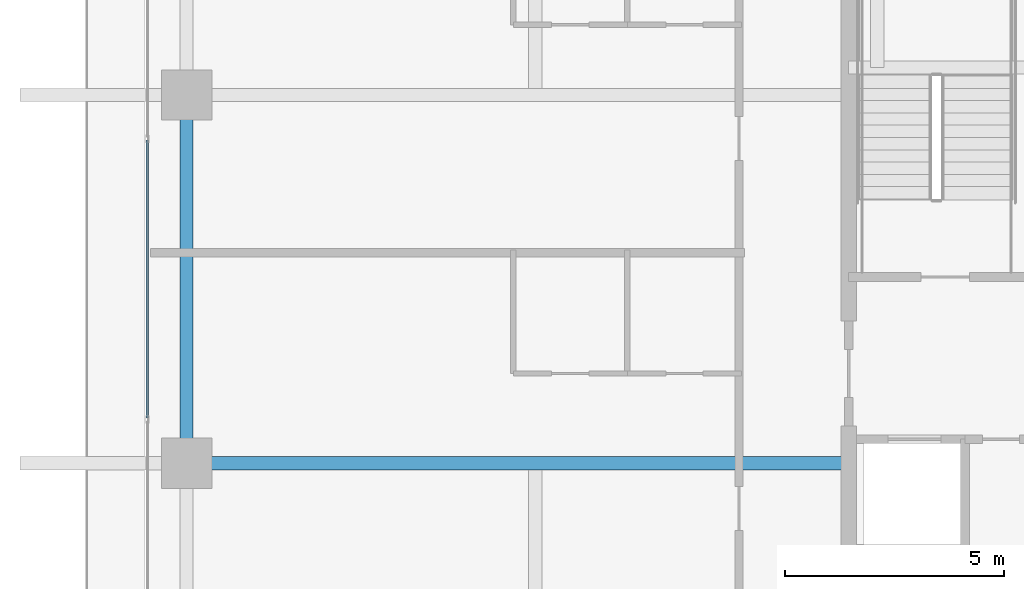
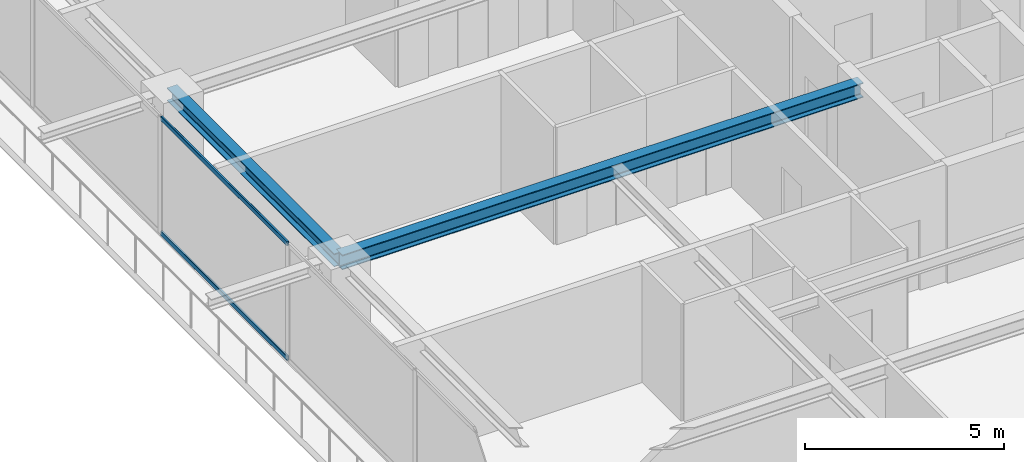
# One storey, part 8 of 37: 2 beams, 2 members, 1 element without a shape of its own.
"""IFC4 building model written with IfcOpenShell, lengths in metres."""

from ifc_helpers import new_model, si_unit, direction, frame, origin, origin_2d, place, context, subcontext, project, spatial, hollow_rectangle, i_section, extrude, source, transform, mapped, material, layer, layer_set, material_profile, profile_set, type_object, element, aggregate, save


model = new_model("IFC4")

# Units and contexts
model_context = context("Model", 3, precision=1e-05, world=origin(), true_north=direction((0.0, 1.0)))
body_context = subcontext(model_context, "Body", "Model", "MODEL_VIEW")
ifc_project = project(units=[si_unit("LENGTHUNIT", "METRE"), si_unit("AREAUNIT", "SQUARE_METRE"), si_unit("VOLUMEUNIT", "CUBIC_METRE"), si_unit("PLANEANGLEUNIT", "RADIAN"), si_unit("MASSUNIT", "GRAM", prefix="KILO")], contexts=[model_context])

# Site, building, storey
site_placement = place(None, origin())
site = spatial("IfcSite", under=ifc_project, at=site_placement, CompositionType="ELEMENT")
building_placement = place(site_placement, origin())
building = spatial("IfcBuilding", under=site, at=building_placement, Name="Serunith Strait Residences", CompositionType="ELEMENT")
storey_placement = place(building_placement, frame((0.0, 0.0, 233.550048828125)))
storey = spatial("IfcBuildingStorey", under=building, at=storey_placement, Name="L58", CompositionType="ELEMENT", Elevation=233.550048828125)

# Beams
ifc_material_1 = material(Name="Steel S355J2", Category="steel")
ifc_material_profile_1 = material_profile(ifc_material_1, i_section(OverallWidth=0.300048828125, OverallDepth=0.449951171875, WebThickness=0.013916015625, FlangeThickness=0.02587890625, FilletRadius=0.027099609375, at=origin_2d()), Name="HEB 450")
ifc_profile_set_1 = profile_set([ifc_material_profile_1], Name="Steel S355J2")
beam_type_1 = type_object("IfcBeamType", Name="BM-HEB450", PredefinedType="BEAM", material=ifc_profile_set_1)
shared_shape_1 = source(origin(), body_context, "Body", "SweptSolid", [
    extrude(i_section(OverallWidth=0.300048828125, OverallDepth=0.449951171875, WebThickness=0.013916015625, FlangeThickness=0.02587890625, FilletRadius=0.027099609375, at=origin_2d()), origin(), (0.0, 0.0, 1.0), 15.099853515625),
])
beam_1_placement = place(storey_placement, frame((23.39990234375, 21.0, 3.362060546875), z_axis=(-1.0, 0.0, 0.0), x_axis=(0.0, -1.0, 0.0)))
element("IfcBeam", 1, at=beam_1_placement, inside=storey, type_object=beam_type_1, Name="L58 Primary Floor Girder TC-W2", PredefinedType="BEAM", context=body_context, shape_type="MappedRepresentation", body=[
    mapped(shared_shape_1, transform((0.0, 0.0, 0.0), scale=1.0)),
])
ifc_material_profile_2 = material_profile(ifc_material_1, i_section(OverallWidth=0.300048828125, OverallDepth=0.39990234375, WebThickness=0.013427734375, FlangeThickness=0.02392578125, FilletRadius=0.027099609375, at=origin_2d()), Name="HEB 400")
ifc_profile_set_2 = profile_set([ifc_material_profile_2], Name="Steel S355J2")
beam_type_2 = type_object("IfcBeamType", Name="BM-HEB400", PredefinedType="BEAM", material=ifc_profile_set_2)
shared_shape_2 = source(origin(), body_context, "Body", "SweptSolid", [
    extrude(i_section(OverallWidth=0.300048828125, OverallDepth=0.39990234375, WebThickness=0.013427734375, FlangeThickness=0.02392578125, FilletRadius=0.027099609375, at=origin_2d()), origin(), (0.0, 0.0, 1.0), 8.39990234375),
])
beam_2_placement = place(storey_placement, frame((8.300048828125, 29.39990234375, 3.386962890625), z_axis=(0.0, -1.0, 0.0), x_axis=(1.0, 0.0, 0.0)))
element("IfcBeam", 2, at=beam_2_placement, inside=storey, type_object=beam_type_2, Name="L58 Perimeter Ring Beam 14", PredefinedType="BEAM", context=body_context, shape_type="MappedRepresentation", body=[
    mapped(shared_shape_2, transform((0.0, 0.0, 0.0), scale=1.0)),
])

# Curtain wall, members
ifc_material_2 = material(Name="Pale-Champagne Anodised Aluminium", Category="aluminium")
ifc_layer = layer(ifc_material_2, 0.199951171875, Name="Pale-Champagne Anodised Aluminium")
ifc_layer_set = layer_set([ifc_layer], Name="Pale-Champagne Anodised Aluminium")
curtain_wall_type = type_object("IfcCurtainWallType", Name="CW-SYS4", PredefinedType="NOTDEFINED", material=ifc_layer_set)
curtain_wall_placement = place(storey_placement, origin())
curtain_wall = element("IfcCurtainWall", 3, at=curtain_wall_placement, inside=storey, type_object=curtain_wall_type, Name="L58 W Unitised Fritted Curtain Wall", PredefinedType="NOTDEFINED")
ifc_material_profile_3 = material_profile(ifc_material_2, hollow_rectangle(XDim=0.06005859375, YDim=0.139892578125, WallThickness=0.00341796875, InnerFilletRadius=0.00537109375, OuterFilletRadius=0.0087890625, at=origin_2d()), Name="ALU 140x60x3.5")
ifc_profile_set_3 = profile_set([ifc_material_profile_3], Name="Pale-Champagne Anodised Aluminium")
member_type = type_object("IfcMemberType", Name="CW-SYS4-TRAN", PredefinedType="USERDEFINED", material=ifc_profile_set_3)
shared_shape_3 = source(origin(), body_context, "Body", "SweptSolid", [
    extrude(hollow_rectangle(XDim=0.06005859375, YDim=0.139892578125, WallThickness=0.00341796875, InnerFilletRadius=0.00537109375, OuterFilletRadius=0.0087890625, at=origin_2d()), origin(), (0.0, 0.0, 1.0), 6.3349609375),
])
member_1_placement = place(storey_placement, frame((7.39990234375, 28.367431640625, 0.030029296875), z_axis=(0.0, -1.0, 0.0), x_axis=(1.0, 0.0, 0.0)))
member_1 = element("IfcMember", 4, at=member_1_placement, type_object=member_type, Name="CW-4 transom 3.1", ObjectType="TRANSOM", PredefinedType="USERDEFINED", context=body_context, shape_type="MappedRepresentation", body=[
    mapped(shared_shape_3, transform((0.0, 0.0, 0.0), scale=1.0)),
])
member_2_placement = place(storey_placement, frame((7.39990234375, 28.367431640625, 3.544921875), z_axis=(0.0, -1.0, 0.0), x_axis=(1.0, 0.0, 0.0)))
member_2 = element("IfcMember", 5, at=member_2_placement, type_object=member_type, Name="CW-4 transom 3.2", ObjectType="TRANSOM", PredefinedType="USERDEFINED", context=body_context, shape_type="MappedRepresentation", body=[
    mapped(shared_shape_3, transform((0.0, 0.0, 0.0), scale=1.0)),
])
aggregate(curtain_wall, [member_1, member_2])

save(model, "model.ifc")
